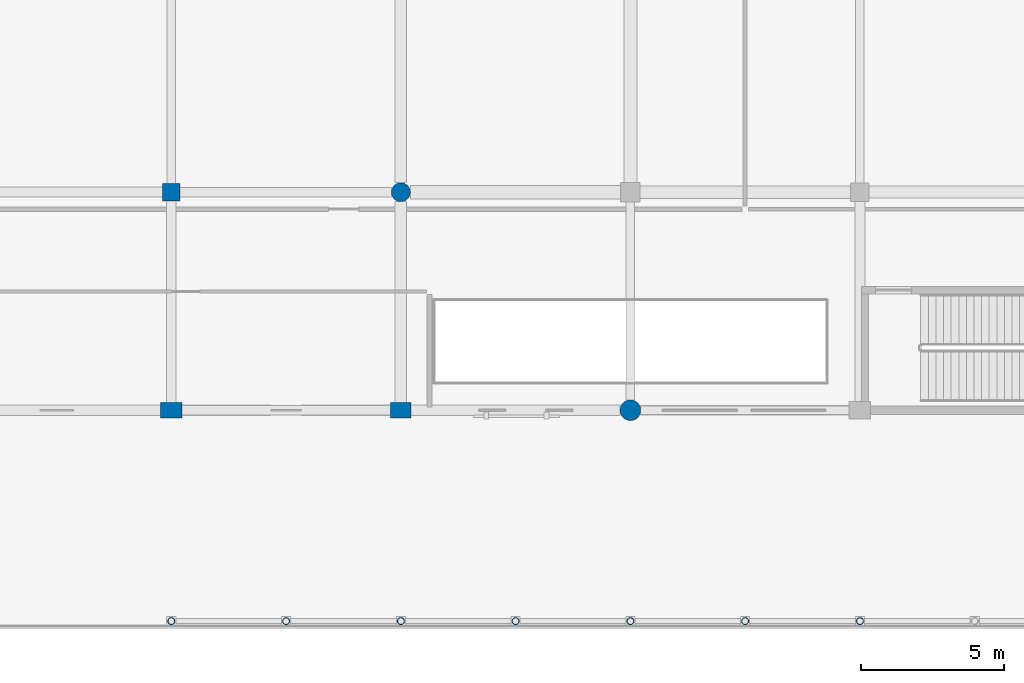
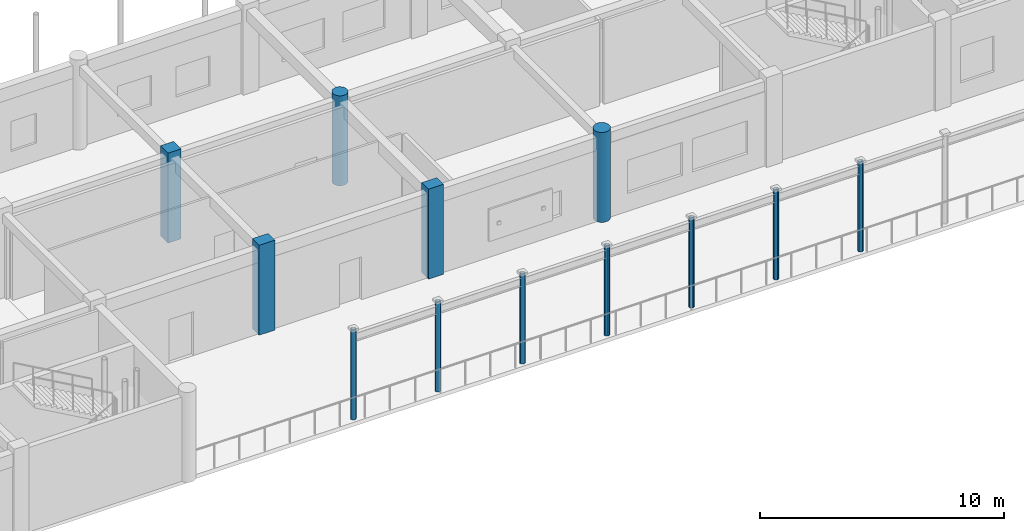
# One storey, part 8 of 160: 12 columns.
"""IFC4 building model written with IfcOpenShell, lengths in metres."""

import ifcopenshell
import ifcopenshell.guid

model = None  # the IFC model being written
_history = None  # IfcOwnerHistory: only IFC2X3 demands one
_inside = {}  # id of a spatial element -> (the spatial element, [elements in it])
_under = {}  # id of a project, library or spatial element -> (it, [spatial elements below it])
_declared = {}  # id of a project -> (the project, [libraries it declares])
_typed = {}  # id of a type object -> (the type object, [elements of that type])
_made_of = {}  # id of a material, layer set ... -> (it, [elements and type objects made of it])


def new_model(schema):
    """Start an empty IFC model of exactly this schema.

    Asked for "IFC4X3", IfcOpenShell would pick the latest addendum, in which some entities
    have other attributes; the version numbers below select the first issue.
    IFC2X3 requires an IfcOwnerHistory on every rooted entity: one is made here for all.
    """
    global model, _history
    if schema == "IFC4X3":
        model = ifcopenshell.file(schema_version=(4, 3, 0, 0))
    else:
        model = ifcopenshell.file(schema=schema)
    _inside.clear()
    _under.clear()
    _declared.clear()
    _typed.clear()
    _made_of.clear()
    _history = None
    if model.schema == "IFC2X3":
        org = make("IfcOrganization", Name="unknown")
        user = make(
            "IfcPersonAndOrganization",
            ThePerson=make("IfcPerson", FamilyName="unknown"),
            TheOrganization=org,
        )
        app = make(
            "IfcApplication",
            ApplicationDeveloper=org,
            Version="unknown",
            ApplicationFullName="unknown",
            ApplicationIdentifier="unknown",
        )
        _history = make(
            "IfcOwnerHistory",
            OwningUser=user,
            OwningApplication=app,
            ChangeAction="ADDED",
            CreationDate=0,
        )
    return model


def make(cls, **values):
    """One entity of the class cls with the attributes given. An attribute that is None is left unset."""
    return model.create_entity(
        cls, **{name: value for name, value in values.items() if value is not None}
    )


def rooted(cls, **values):
    """An entity with a GlobalId (a new one), such as an element, a storey or a relation."""
    return make(cls, GlobalId=ifcopenshell.guid.new(), OwnerHistory=_history, **values)


def si_unit(unit_type, name, prefix=None):
    """IfcSIUnit, for example si_unit("LENGTHUNIT", "METRE", prefix="MILLI")."""
    return make("IfcSIUnit", UnitType=unit_type, Prefix=prefix, Name=name)


def assignment(units):
    """IfcUnitAssignment: the units of a project."""
    return None if units is None else make("IfcUnitAssignment", Units=units)


def point(xyz):
    """IfcCartesianPoint."""
    return None if xyz is None else make("IfcCartesianPoint", Coordinates=xyz)


def direction(xyz):
    """IfcDirection."""
    return None if xyz is None else make("IfcDirection", DirectionRatios=xyz)


def frame(location, z_axis=None, x_axis=None):
    """IfcAxis2Placement3D, a coordinate frame: its origin and axes. An axis left out is left unset."""
    return make(
        "IfcAxis2Placement3D",
        Location=point(location),
        Axis=direction(z_axis),
        RefDirection=direction(x_axis),
    )


def frame_2d(location, x_axis=None):
    """IfcAxis2Placement2D, a coordinate frame in the plane: its origin and x axis."""
    return make(
        "IfcAxis2Placement2D", Location=point(location), RefDirection=direction(x_axis)
    )


def origin():
    """The frame at (0, 0, 0) with its axes left unset."""
    return frame((0.0, 0.0, 0.0))


def origin_2d():
    """The frame at (0, 0) in the plane with its x axis left unset."""
    return frame_2d((0.0, 0.0))


def place(relative_to, where):
    """IfcLocalPlacement: puts the frame where relative to a parent placement (None: the world)."""
    return make(
        "IfcLocalPlacement", PlacementRelTo=relative_to, RelativePlacement=where
    )


def context(
    kind, dimensions, precision=None, world=None, true_north=None, identifier=None
):
    """IfcGeometricRepresentationContext, for example the 3D "Model" context."""
    return make(
        "IfcGeometricRepresentationContext",
        ContextIdentifier=identifier,
        ContextType=kind,
        CoordinateSpaceDimension=dimensions,
        Precision=precision,
        WorldCoordinateSystem=world,
        TrueNorth=true_north,
    )


def subcontext(parent, identifier, kind, view, scale=None):
    """IfcGeometricRepresentationSubContext, for example "Body" below "Model"."""
    return make(
        "IfcGeometricRepresentationSubContext",
        ContextIdentifier=identifier,
        ContextType=kind,
        ParentContext=parent,
        TargetScale=scale,
        TargetView=view,
    )


def project(units=None, contexts=None):
    """IfcProject with its units and contexts."""
    return rooted(
        "IfcProject",
        Name="project",
        RepresentationContexts=contexts,
        UnitsInContext=assignment(units),
    )


def spatial(cls, under=None, at=None, **own):
    """A site, building, storey or space (cls), placed at a placement, below another one or the project."""
    s = rooted(cls, ObjectPlacement=at, **own)
    if under is not None:
        _under.setdefault(under.id(), (under, []))[1].append(s)
    return s


def profile(cls, at=None, kind="AREA", **sizes):
    """A parametric profile (cls). Its sizes go by their IFC names, for example OverallWidth=200.0."""
    return make(cls, ProfileType=kind, Position=at, **sizes)


def rectangle(**sizes):
    """IfcRectangleProfileDef."""
    return profile("IfcRectangleProfileDef", **sizes)


def circle(**sizes):
    """IfcCircleProfileDef."""
    return profile("IfcCircleProfileDef", **sizes)


def hollow_circle(**sizes):
    """IfcCircleHollowProfileDef."""
    return profile("IfcCircleHollowProfileDef", **sizes)


def extrude(swept, where, along, depth):
    """IfcExtrudedAreaSolid: the profile swept, set in the frame where, extruded along a direction by depth."""
    return make(
        "IfcExtrudedAreaSolid",
        SweptArea=swept,
        Position=where,
        ExtrudedDirection=direction(along),
        Depth=depth,
    )


def shape(context_of_items, identifier, shape_type, items):
    """IfcShapeRepresentation: the items that make up one representation, for example the "Body"."""
    return make(
        "IfcShapeRepresentation",
        ContextOfItems=context_of_items,
        RepresentationIdentifier=identifier,
        RepresentationType=shape_type,
        Items=items,
    )


def material(Name=None, Category=None):
    """IfcMaterial."""
    return make("IfcMaterial", Name=Name, Category=Category)


def material_profile(
    of_material, cross_section, Name=None, Category=None, Priority=None
):
    """IfcMaterialProfile: a cross section and its material."""
    return make(
        "IfcMaterialProfile",
        Name=Name,
        Material=of_material,
        Profile=cross_section,
        Priority=Priority,
        Category=Category,
    )


def profile_set(profiles, Name=None, composite=None):
    """IfcMaterialProfileSet."""
    return make(
        "IfcMaterialProfileSet",
        Name=Name,
        MaterialProfiles=profiles,
        CompositeProfile=composite,
    )


def made_of(thing, what):
    """Note that an element or type object is made of a material, layer set ...; save() writes the relation."""
    if what is not None:
        _made_of.setdefault(what.id(), (what, []))[1].append(thing)
    return thing


def type_object(cls, material=None, **own):
    """A type object (cls), such as IfcWallType, which elements share."""
    return made_of(rooted(cls, **own), material)


def element(
    cls,
    number,
    at=None,
    inside=None,
    cuts=None,
    type_object=None,
    material=None,
    context=None,
    identifier="Body",
    shape_type=None,
    held_by="IfcProductDefinitionShape",
    body=None,
    shapes=None,
    **own,
):
    """One element of the class cls, such as IfcWall. Its Tag is "e" and its number.

    at: its placement. inside: the storey or other place that contains it. cuts: it is an
    opening in that element (IfcRelVoidsElement). A single representation is given by context,
    identifier, shape_type and body (its items); several are given by shapes. held_by: the class
    of the entity that holds the representations. save() writes the other relations.
    """
    e = rooted(cls, Tag="e%d" % number, ObjectPlacement=at, **own)
    if body is not None:
        shapes = [shape(context, identifier, shape_type, body)]
    if shapes is not None:
        e.Representation = make(held_by, Representations=shapes)
    if inside is not None:
        _inside.setdefault(inside.id(), (inside, []))[1].append(e)
    if cuts is not None:
        rooted(
            "IfcRelVoidsElement", RelatingBuildingElement=cuts, RelatedOpeningElement=e
        )
    if type_object is not None:
        _typed.setdefault(type_object.id(), (type_object, []))[1].append(e)
    return made_of(e, material)


def aggregate(whole, parts):
    """IfcRelAggregates: a whole, such as a stair, and the parts it consists of."""
    return rooted("IfcRelAggregates", RelatingObject=whole, RelatedObjects=parts)


def save(model, path):
    """Write the relations noted so far, then the file.

    IfcRelAggregates (storeys below a building ...), IfcRelContainedInSpatialStructure (elements
    in a storey), IfcRelDefinesByType, IfcRelAssociatesMaterial and IfcRelDeclares: one each for
    every whole, place, type object, material and project.
    """
    for whole, parts in _under.values():
        aggregate(whole, parts)
    for where, things in _inside.values():
        rooted(
            "IfcRelContainedInSpatialStructure",
            RelatedElements=things,
            RelatingStructure=where,
        )
    for kind, things in _typed.values():
        rooted("IfcRelDefinesByType", RelatedObjects=things, RelatingType=kind)
    for what, things in _made_of.values():
        rooted("IfcRelAssociatesMaterial", RelatedObjects=things, RelatingMaterial=what)
    for by, libraries in _declared.values():
        rooted("IfcRelDeclares", RelatingContext=by, RelatedDefinitions=libraries)
    model.write(path)


model = new_model("IFC4")

# Units and contexts
model_context = context("Model", 3, precision=1e-05, world=origin(), true_north=direction((0.0, 1.0)))
body_context = subcontext(model_context, "Body", "Model", "MODEL_VIEW")
ifc_project = project(units=[si_unit("LENGTHUNIT", "METRE"), si_unit("AREAUNIT", "SQUARE_METRE"), si_unit("VOLUMEUNIT", "CUBIC_METRE"), si_unit("PLANEANGLEUNIT", "RADIAN"), si_unit("MASSUNIT", "GRAM", prefix="KILO")], contexts=[model_context])

# Site, building, storey
site_placement = place(None, origin())
site = spatial("IfcSite", under=ifc_project, at=site_placement, CompositionType="ELEMENT")
building_placement = place(site_placement, origin())
building = spatial("IfcBuilding", under=site, at=building_placement, Name="Kharva Crest Polytechnic", CompositionType="ELEMENT")
storey_placement = place(building_placement, frame((0.0, 0.0, 4.5)))
storey = spatial("IfcBuildingStorey", under=building, at=storey_placement, Name="L01", CompositionType="ELEMENT", Elevation=4.5)

# Columns
ifc_material_1 = material(Name="Concrete C40/50", Category="concrete")
ifc_material_profile_1 = material_profile(ifc_material_1, rectangle(XDim=0.719970703125, YDim=0.550048828125, at=origin_2d()), Name="RECT 720 X 550")
ifc_profile_set_1 = profile_set([ifc_material_profile_1], Name="Concrete C40/50")
column_type_1 = type_object("IfcColumnType", Name="COL-EXT-720X550", PredefinedType="COLUMN", material=ifc_profile_set_1)
column_1_placement = place(storey_placement, frame((72.0, 7.60009765625, 0.0), z_axis=(0.0, 0.0, 1.0), x_axis=(1.0, 0.0, 0.0)))
element("IfcColumn", 1, at=column_1_placement, inside=storey, type_object=column_type_1, Name="L01 Column 10/B", PredefinedType="COLUMN", context=body_context, shape_type="SweptSolid", body=[
    extrude(rectangle(XDim=0.719970703125, YDim=0.550048828125, at=origin_2d()), origin(), (0.0, 0.0, 1.0), 4.5),
])
ifc_material_profile_2 = material_profile(ifc_material_1, rectangle(XDim=0.75, YDim=0.550048828125, at=origin_2d()), Name="RECT 750 X 550")
ifc_profile_set_2 = profile_set([ifc_material_profile_2], Name="Concrete C40/50")
column_type_2 = type_object("IfcColumnType", Name="COL-EXT-750X550", PredefinedType="COLUMN", material=ifc_profile_set_2)
column_2_placement = place(storey_placement, frame((64.0, 7.60009765625, 0.0), z_axis=(0.0, 0.0, 1.0), x_axis=(1.0, 0.0, 0.0)))
element("IfcColumn", 2, at=column_2_placement, inside=storey, type_object=column_type_2, Name="L01 Column 9/B", PredefinedType="COLUMN", context=body_context, shape_type="SweptSolid", body=[
    extrude(rectangle(XDim=0.75, YDim=0.550048828125, at=origin_2d()), origin(), (0.0, 0.0, 1.0), 4.5),
])
ifc_material_profile_3 = material_profile(ifc_material_1, circle(Radius=0.360107421875, at=origin_2d()), Name="DIA 720")
ifc_profile_set_3 = profile_set([ifc_material_profile_3], Name="Concrete C40/50")
column_type_3 = type_object("IfcColumnType", Name="COL-EXT-DIA720", PredefinedType="COLUMN", material=ifc_profile_set_3)
column_3_placement = place(storey_placement, frame((80.0, 7.60009765625, 0.0), z_axis=(0.0, 0.0, 1.0), x_axis=(1.0, 0.0, 0.0)))
element("IfcColumn", 3, at=column_3_placement, inside=storey, type_object=column_type_3, Name="L01 Column 11/B", PredefinedType="COLUMN", context=body_context, shape_type="SweptSolid", body=[
    extrude(circle(Radius=0.360107421875, at=origin_2d()), origin(), (0.0, 0.0, 1.0), 4.5),
])
ifc_material_profile_4 = material_profile(ifc_material_1, rectangle(XDim=0.6201171875, YDim=0.6201171875, at=origin_2d()), Name="RECT 620 X 620")
ifc_profile_set_4 = profile_set([ifc_material_profile_4], Name="Concrete C40/50")
column_type_4 = type_object("IfcColumnType", Name="COL-INT-620X620", PredefinedType="COLUMN", material=ifc_profile_set_4)
column_4_placement = place(storey_placement, frame((64.0, 15.199951171875, 0.0), z_axis=(0.0, 0.0, 1.0), x_axis=(1.0, 0.0, 0.0)))
element("IfcColumn", 4, at=column_4_placement, inside=storey, type_object=column_type_4, Name="L01 Column 9/C", PredefinedType="COLUMN", context=body_context, shape_type="SweptSolid", body=[
    extrude(rectangle(XDim=0.6201171875, YDim=0.6201171875, at=origin_2d()), origin(), (0.0, 0.0, 1.0), 4.5),
])
ifc_material_profile_5 = material_profile(ifc_material_1, circle(Radius=0.330078125, at=origin_2d()), Name="DIA 660")
ifc_profile_set_5 = profile_set([ifc_material_profile_5], Name="Concrete C40/50")
column_type_5 = type_object("IfcColumnType", Name="COL-INT-DIA660", PredefinedType="COLUMN", material=ifc_profile_set_5)
column_5_placement = place(storey_placement, frame((72.0, 15.199951171875, 0.0), z_axis=(0.0, 0.0, 1.0), x_axis=(1.0, 0.0, 0.0)))
element("IfcColumn", 5, at=column_5_placement, inside=storey, type_object=column_type_5, Name="L01 Column 10/C", PredefinedType="COLUMN", context=body_context, shape_type="SweptSolid", body=[
    extrude(circle(Radius=0.330078125, at=origin_2d()), origin(), (0.0, 0.0, 1.0), 4.5),
])
ifc_material_2 = material(Name="Steel S355", Category="steel")
ifc_material_profile_6 = material_profile(ifc_material_2, hollow_circle(Radius=0.122314453125, WallThickness=0.010009765625, at=origin_2d()), Name="CHS 244.5X10.0")
ifc_profile_set_6 = profile_set([ifc_material_profile_6], Name="Steel S355")
column_type_6 = type_object("IfcColumnType", Name="COL-STL-CHS244", PredefinedType="COLUMN", material=ifc_profile_set_6)
for number, where, z_axis, x_axis, name in (
    (6, (64.0, 0.25, 0.0), (0.0, 0.0, 1.0), (1.0, 0.0, 0.0), "L01 Colonnade Column AS01"),
    (7, (72.0, 0.25, 0.0), (0.0, 0.0, 1.0), (1.0, 0.0, 0.0), "L01 Colonnade Column AS02"),
    (8, (80.0, 0.25, 0.0), (0.0, 0.0, 1.0), (1.0, 0.0, 0.0), "L01 Colonnade Column AS03"),
    (9, (88.0, 0.25, 0.0), (0.0, 0.0, 1.0), (1.0, 0.0, 0.0), "L01 Colonnade Column AS04"),
    (10, (68.0, 0.25, 0.0), (0.0, 0.0, 1.0), (1.0, 0.0, 0.0), "L01 Colonnade Mid Column ASM01"),
    (11, (76.0, 0.25, 0.0), (0.0, 0.0, 1.0), (1.0, 0.0, 0.0), "L01 Colonnade Mid Column ASM02"),
    (12, (84.0, 0.25, 0.0), (0.0, 0.0, 1.0), (1.0, 0.0, 0.0), "L01 Colonnade Mid Column ASM03"),
):
    element("IfcColumn", number, at=place(storey_placement, frame(where, z_axis=z_axis, x_axis=x_axis)), inside=storey, type_object=column_type_6, Name=name, PredefinedType="COLUMN", context=body_context, shape_type="SweptSolid", body=[
        extrude(hollow_circle(Radius=0.122314453125, WallThickness=0.010009765625, at=origin_2d()), origin(), (0.0, 0.0, 1.0), 4.5),
    ])

save(model, "model.ifc")
